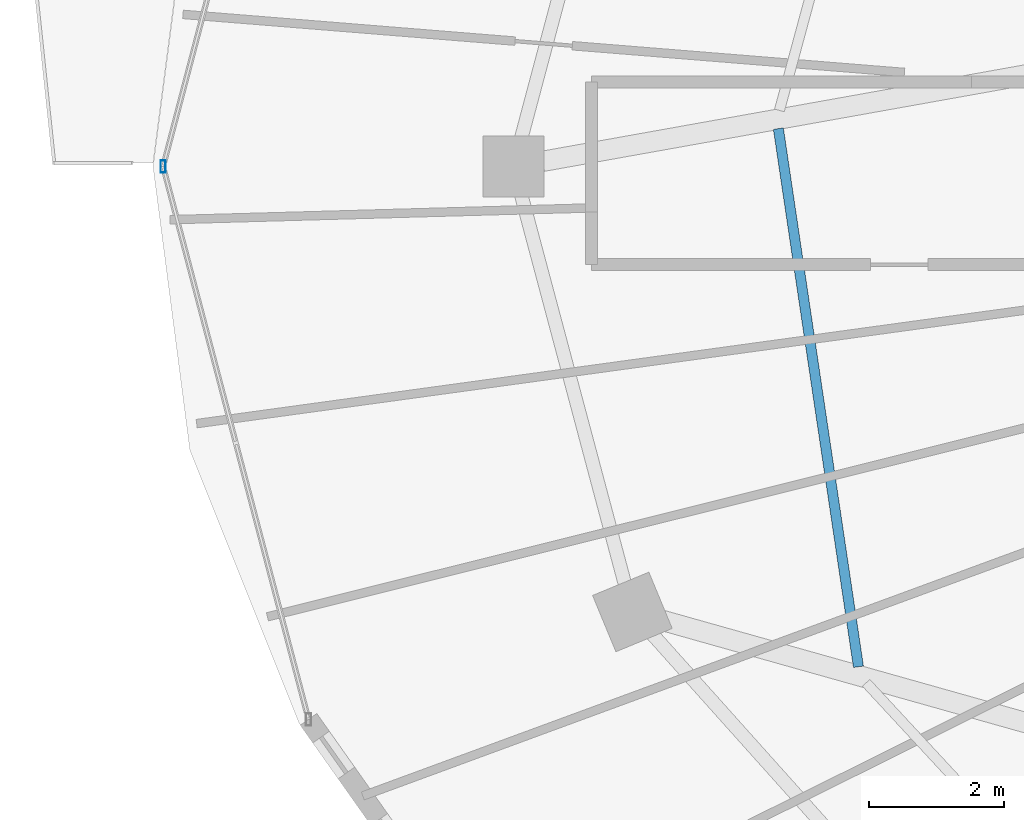
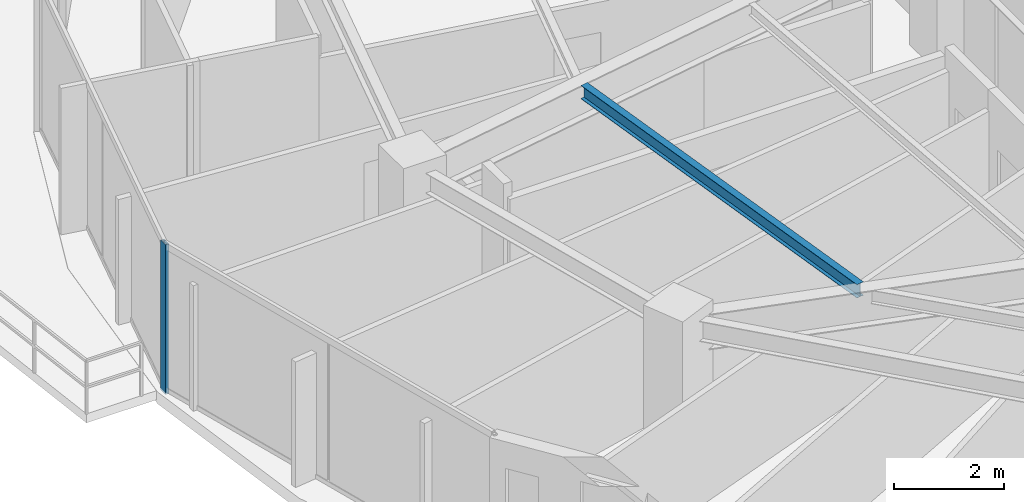
# One storey, part 7 of 33: 1 beam, 1 member, 1 element without a shape of its own.
"""IFC4 building model written with IfcOpenShell, lengths in metres."""

import ifcopenshell
import ifcopenshell.guid

model = None  # the IFC model being written
_history = None  # IfcOwnerHistory: only IFC2X3 demands one
_inside = {}  # id of a spatial element -> (the spatial element, [elements in it])
_under = {}  # id of a project, library or spatial element -> (it, [spatial elements below it])
_declared = {}  # id of a project -> (the project, [libraries it declares])
_typed = {}  # id of a type object -> (the type object, [elements of that type])
_made_of = {}  # id of a material, layer set ... -> (it, [elements and type objects made of it])


def new_model(schema):
    """Start an empty IFC model of exactly this schema.

    Asked for "IFC4X3", IfcOpenShell would pick the latest addendum, in which some entities
    have other attributes; the version numbers below select the first issue.
    IFC2X3 requires an IfcOwnerHistory on every rooted entity: one is made here for all.
    """
    global model, _history
    if schema == "IFC4X3":
        model = ifcopenshell.file(schema_version=(4, 3, 0, 0))
    else:
        model = ifcopenshell.file(schema=schema)
    _inside.clear()
    _under.clear()
    _declared.clear()
    _typed.clear()
    _made_of.clear()
    _history = None
    if model.schema == "IFC2X3":
        org = make("IfcOrganization", Name="unknown")
        user = make(
            "IfcPersonAndOrganization",
            ThePerson=make("IfcPerson", FamilyName="unknown"),
            TheOrganization=org,
        )
        app = make(
            "IfcApplication",
            ApplicationDeveloper=org,
            Version="unknown",
            ApplicationFullName="unknown",
            ApplicationIdentifier="unknown",
        )
        _history = make(
            "IfcOwnerHistory",
            OwningUser=user,
            OwningApplication=app,
            ChangeAction="ADDED",
            CreationDate=0,
        )
    return model


def make(cls, **values):
    """One entity of the class cls with the attributes given. An attribute that is None is left unset."""
    return model.create_entity(
        cls, **{name: value for name, value in values.items() if value is not None}
    )


def rooted(cls, **values):
    """An entity with a GlobalId (a new one), such as an element, a storey or a relation."""
    return make(cls, GlobalId=ifcopenshell.guid.new(), OwnerHistory=_history, **values)


def si_unit(unit_type, name, prefix=None):
    """IfcSIUnit, for example si_unit("LENGTHUNIT", "METRE", prefix="MILLI")."""
    return make("IfcSIUnit", UnitType=unit_type, Prefix=prefix, Name=name)


def assignment(units):
    """IfcUnitAssignment: the units of a project."""
    return None if units is None else make("IfcUnitAssignment", Units=units)


def point(xyz):
    """IfcCartesianPoint."""
    return None if xyz is None else make("IfcCartesianPoint", Coordinates=xyz)


def direction(xyz):
    """IfcDirection."""
    return None if xyz is None else make("IfcDirection", DirectionRatios=xyz)


def frame(location, z_axis=None, x_axis=None):
    """IfcAxis2Placement3D, a coordinate frame: its origin and axes. An axis left out is left unset."""
    return make(
        "IfcAxis2Placement3D",
        Location=point(location),
        Axis=direction(z_axis),
        RefDirection=direction(x_axis),
    )


def frame_2d(location, x_axis=None):
    """IfcAxis2Placement2D, a coordinate frame in the plane: its origin and x axis."""
    return make(
        "IfcAxis2Placement2D", Location=point(location), RefDirection=direction(x_axis)
    )


def origin():
    """The frame at (0, 0, 0) with its axes left unset."""
    return frame((0.0, 0.0, 0.0))


def origin_2d():
    """The frame at (0, 0) in the plane with its x axis left unset."""
    return frame_2d((0.0, 0.0))


def place(relative_to, where):
    """IfcLocalPlacement: puts the frame where relative to a parent placement (None: the world)."""
    return make(
        "IfcLocalPlacement", PlacementRelTo=relative_to, RelativePlacement=where
    )


def context(
    kind, dimensions, precision=None, world=None, true_north=None, identifier=None
):
    """IfcGeometricRepresentationContext, for example the 3D "Model" context."""
    return make(
        "IfcGeometricRepresentationContext",
        ContextIdentifier=identifier,
        ContextType=kind,
        CoordinateSpaceDimension=dimensions,
        Precision=precision,
        WorldCoordinateSystem=world,
        TrueNorth=true_north,
    )


def subcontext(parent, identifier, kind, view, scale=None):
    """IfcGeometricRepresentationSubContext, for example "Body" below "Model"."""
    return make(
        "IfcGeometricRepresentationSubContext",
        ContextIdentifier=identifier,
        ContextType=kind,
        ParentContext=parent,
        TargetScale=scale,
        TargetView=view,
    )


def project(units=None, contexts=None):
    """IfcProject with its units and contexts."""
    return rooted(
        "IfcProject",
        Name="project",
        RepresentationContexts=contexts,
        UnitsInContext=assignment(units),
    )


def spatial(cls, under=None, at=None, **own):
    """A site, building, storey or space (cls), placed at a placement, below another one or the project."""
    s = rooted(cls, ObjectPlacement=at, **own)
    if under is not None:
        _under.setdefault(under.id(), (under, []))[1].append(s)
    return s


def profile(cls, at=None, kind="AREA", **sizes):
    """A parametric profile (cls). Its sizes go by their IFC names, for example OverallWidth=200.0."""
    return make(cls, ProfileType=kind, Position=at, **sizes)


def hollow_rectangle(**sizes):
    """IfcRectangleHollowProfileDef."""
    return profile("IfcRectangleHollowProfileDef", **sizes)


def i_section(**sizes):
    """IfcIShapeProfileDef."""
    return profile("IfcIShapeProfileDef", **sizes)


def extrude(swept, where, along, depth):
    """IfcExtrudedAreaSolid: the profile swept, set in the frame where, extruded along a direction by depth."""
    return make(
        "IfcExtrudedAreaSolid",
        SweptArea=swept,
        Position=where,
        ExtrudedDirection=direction(along),
        Depth=depth,
    )


def shape(context_of_items, identifier, shape_type, items):
    """IfcShapeRepresentation: the items that make up one representation, for example the "Body"."""
    return make(
        "IfcShapeRepresentation",
        ContextOfItems=context_of_items,
        RepresentationIdentifier=identifier,
        RepresentationType=shape_type,
        Items=items,
    )


def material(Name=None, Category=None):
    """IfcMaterial."""
    return make("IfcMaterial", Name=Name, Category=Category)


def material_profile(
    of_material, cross_section, Name=None, Category=None, Priority=None
):
    """IfcMaterialProfile: a cross section and its material."""
    return make(
        "IfcMaterialProfile",
        Name=Name,
        Material=of_material,
        Profile=cross_section,
        Priority=Priority,
        Category=Category,
    )


def profile_set(profiles, Name=None, composite=None):
    """IfcMaterialProfileSet."""
    return make(
        "IfcMaterialProfileSet",
        Name=Name,
        MaterialProfiles=profiles,
        CompositeProfile=composite,
    )


def made_of(thing, what):
    """Note that an element or type object is made of a material, layer set ...; save() writes the relation."""
    if what is not None:
        _made_of.setdefault(what.id(), (what, []))[1].append(thing)
    return thing


def type_object(cls, material=None, **own):
    """A type object (cls), such as IfcWallType, which elements share."""
    return made_of(rooted(cls, **own), material)


def element(
    cls,
    number,
    at=None,
    inside=None,
    cuts=None,
    type_object=None,
    material=None,
    context=None,
    identifier="Body",
    shape_type=None,
    held_by="IfcProductDefinitionShape",
    body=None,
    shapes=None,
    **own,
):
    """One element of the class cls, such as IfcWall. Its Tag is "e" and its number.

    at: its placement. inside: the storey or other place that contains it. cuts: it is an
    opening in that element (IfcRelVoidsElement). A single representation is given by context,
    identifier, shape_type and body (its items); several are given by shapes. held_by: the class
    of the entity that holds the representations. save() writes the other relations.
    """
    e = rooted(cls, Tag="e%d" % number, ObjectPlacement=at, **own)
    if body is not None:
        shapes = [shape(context, identifier, shape_type, body)]
    if shapes is not None:
        e.Representation = make(held_by, Representations=shapes)
    if inside is not None:
        _inside.setdefault(inside.id(), (inside, []))[1].append(e)
    if cuts is not None:
        rooted(
            "IfcRelVoidsElement", RelatingBuildingElement=cuts, RelatedOpeningElement=e
        )
    if type_object is not None:
        _typed.setdefault(type_object.id(), (type_object, []))[1].append(e)
    return made_of(e, material)


def aggregate(whole, parts):
    """IfcRelAggregates: a whole, such as a stair, and the parts it consists of."""
    return rooted("IfcRelAggregates", RelatingObject=whole, RelatedObjects=parts)


def save(model, path):
    """Write the relations noted so far, then the file.

    IfcRelAggregates (storeys below a building ...), IfcRelContainedInSpatialStructure (elements
    in a storey), IfcRelDefinesByType, IfcRelAssociatesMaterial and IfcRelDeclares: one each for
    every whole, place, type object, material and project.
    """
    for whole, parts in _under.values():
        aggregate(whole, parts)
    for where, things in _inside.values():
        rooted(
            "IfcRelContainedInSpatialStructure",
            RelatedElements=things,
            RelatingStructure=where,
        )
    for kind, things in _typed.values():
        rooted("IfcRelDefinesByType", RelatedObjects=things, RelatingType=kind)
    for what, things in _made_of.values():
        rooted("IfcRelAssociatesMaterial", RelatedObjects=things, RelatingMaterial=what)
    for by, libraries in _declared.values():
        rooted("IfcRelDeclares", RelatingContext=by, RelatedDefinitions=libraries)
    model.write(path)


model = new_model("IFC4")

# Units and contexts
model_context = context("Model", 3, precision=1e-05, world=origin(), true_north=direction((0.0, 1.0)))
body_context = subcontext(model_context, "Body", "Model", "MODEL_VIEW")
ifc_project = project(units=[si_unit("LENGTHUNIT", "METRE"), si_unit("AREAUNIT", "SQUARE_METRE"), si_unit("VOLUMEUNIT", "CUBIC_METRE"), si_unit("PLANEANGLEUNIT", "RADIAN"), si_unit("MASSUNIT", "GRAM", prefix="KILO")], contexts=[model_context])

# Site, building, storey
site_placement = place(None, origin())
site = spatial("IfcSite", under=ifc_project, at=site_placement, CompositionType="ELEMENT")
building_placement = place(site_placement, origin())
building = spatial("IfcBuilding", under=site, at=building_placement, Name="Vorneva Point Tower", CompositionType="ELEMENT")
storey_placement = place(building_placement, frame((0.0, 0.0, 189.60009765625)))
storey = spatial("IfcBuildingStorey", under=building, at=storey_placement, Name="L51", CompositionType="ELEMENT", Elevation=189.60009765625)

# Beam
ifc_material_1 = material(Name="Steel S355", Category="steel")
ifc_material_profile_1 = material_profile(ifc_material_1, i_section(OverallWidth=0.14892578125, OverallDepth=0.298095703125, WebThickness=0.005615234375, FlangeThickness=0.008056640625, at=origin_2d()), Name="30B1")
ifc_profile_set_1 = profile_set([ifc_material_profile_1], Name="Steel S355")
beam_type = type_object("IfcBeamType", Name="BM-JST-30B1", PredefinedType="JOIST", material=ifc_profile_set_1)
beam_placement = place(storey_placement, frame((18.86181640625, 26.5595703125, 3.0908203125), z_axis=(0.147176019299, -0.989110317074, 0.0), x_axis=(0.989110317074, 0.147176019299, 0.0)))
element("IfcBeam", 1, at=beam_placement, inside=storey, type_object=beam_type, Name="L51 Secondary Floor Beam 1.09", PredefinedType="JOIST", context=body_context, shape_type="SweptSolid", body=[
    extrude(i_section(OverallWidth=0.14892578125, OverallDepth=0.298095703125, WebThickness=0.005615234375, FlangeThickness=0.008056640625, at=origin_2d()), origin(), (0.0, 0.0, 1.0), 8.038818359375),
])

# Curtain wall, member
ifc_material_2 = material(Name="Pale anodised aluminium", Category="aluminium")
curtain_wall_type = type_object("IfcCurtainWallType", Name="CW-RES-SYS", PredefinedType="NOTDEFINED", material=ifc_material_2)
curtain_wall_placement = place(storey_placement, origin())
curtain_wall = element("IfcCurtainWall", 2, at=curtain_wall_placement, inside=storey, type_object=curtain_wall_type, Name="L51 Unitised Curtain Wall CW-L51-R03", PredefinedType="NOTDEFINED")
ifc_material_profile_2 = material_profile(ifc_material_2, hollow_rectangle(XDim=0.074951171875, YDim=0.179931640625, WallThickness=0.00390625, at=origin_2d()), Name="AL-MUL 180x75x4")
ifc_profile_set_2 = profile_set([ifc_material_profile_2], Name="Pale anodised aluminium")
member_type = type_object("IfcMemberType", Name="CW-MUL-180", PredefinedType="MULLION", material=ifc_profile_set_2)
member_placement = place(storey_placement, frame((9.77001953125, 26.0, -0.0400390625), z_axis=(0.0, 0.0, 1.0), x_axis=(1.0, 0.0, 0.0)))
member = element("IfcMember", 3, at=member_placement, type_object=member_type, Name="CW-L51-R03 Mullion 02", PredefinedType="MULLION", context=body_context, shape_type="SweptSolid", body=[
    extrude(hollow_rectangle(XDim=0.074951171875, YDim=0.179931640625, WallThickness=0.00390625, at=origin_2d()), origin(), (0.0, 0.0, 1.0), 3.31005859375),
])
aggregate(curtain_wall, [member])

save(model, "model.ifc")
